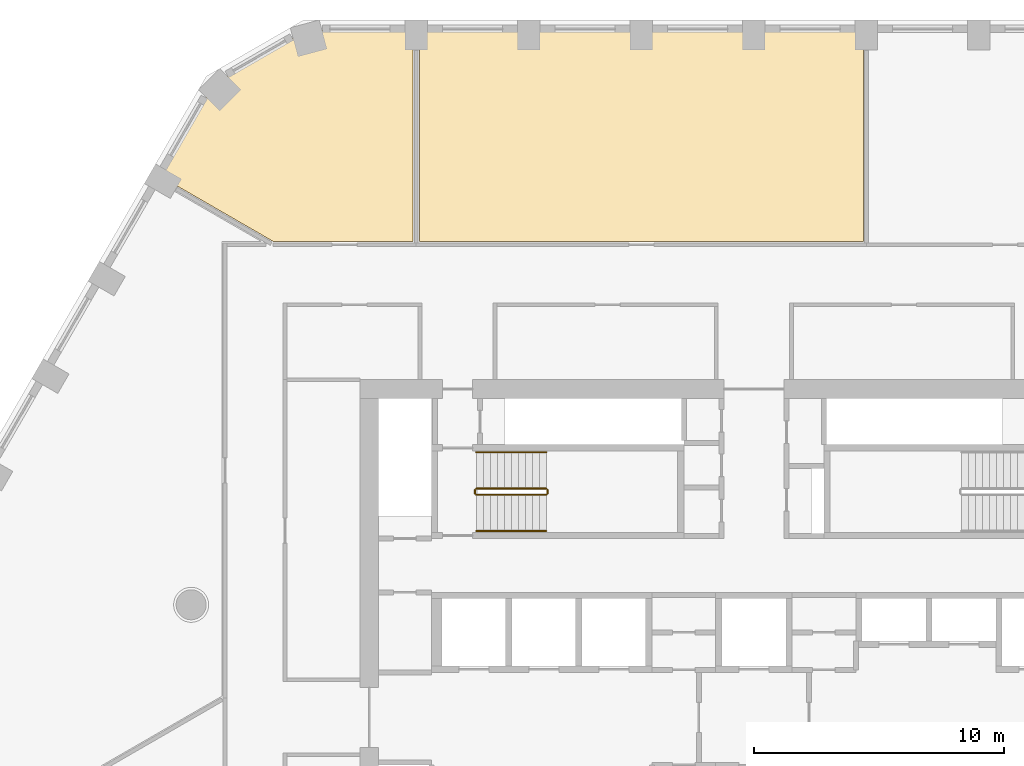
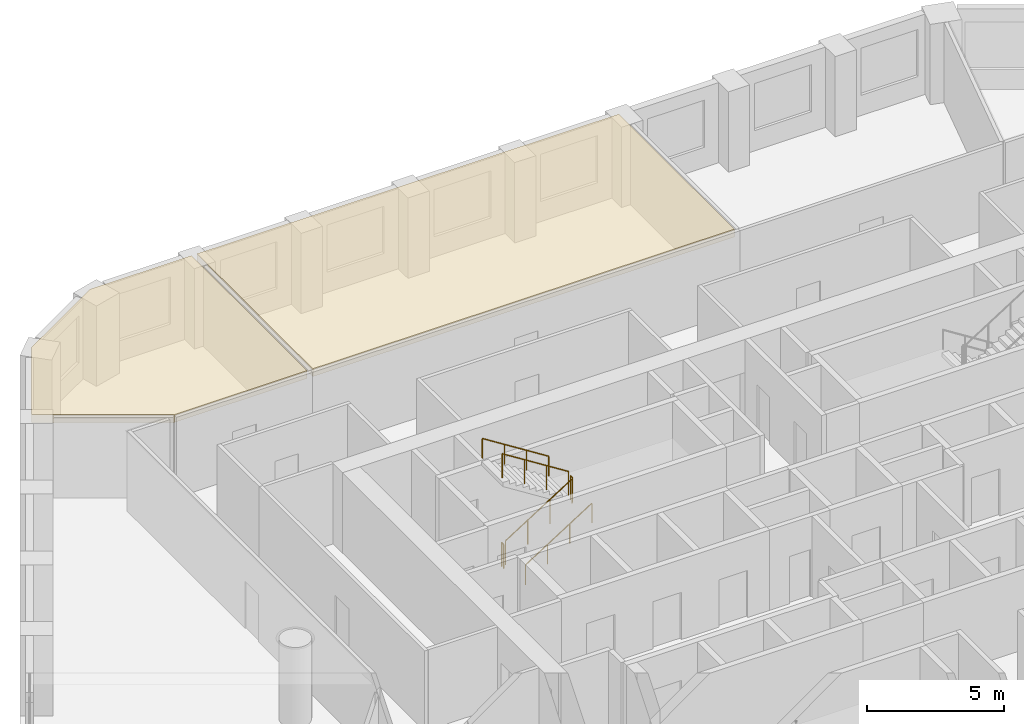
# One storey, part 13 of 14: 6 railings, 2 coverings.
"""IFC4 building model written with IfcOpenShell, lengths in metres."""

from ifc_helpers import new_model, si_unit, direction, frame, origin, origin_2d, place, context, subcontext, project, spatial, polyline, circle, outline, extrude, material, layer, layer_set, type_object, element, save


model = new_model("IFC4")

# Units and contexts
model_context = context("Model", 3, precision=1e-05, world=origin(), true_north=direction((0.0, 1.0)))
body_context = subcontext(model_context, "Body", "Model", "MODEL_VIEW")
ifc_project = project(units=[si_unit("LENGTHUNIT", "METRE"), si_unit("AREAUNIT", "SQUARE_METRE"), si_unit("VOLUMEUNIT", "CUBIC_METRE"), si_unit("PLANEANGLEUNIT", "RADIAN"), si_unit("MASSUNIT", "GRAM", prefix="KILO")], contexts=[model_context])

# Site, building, storey
site_placement = place(None, origin())
site = spatial("IfcSite", under=ifc_project, at=site_placement, CompositionType="ELEMENT")
building_placement = place(site_placement, origin())
building = spatial("IfcBuilding", under=site, at=building_placement, Name="Dhurran Vertical Campus", CompositionType="ELEMENT")
storey_placement = place(building_placement, frame((0.0, 0.0, 136.5)))
storey = spatial("IfcBuildingStorey", under=building, at=storey_placement, Name="L33", CompositionType="ELEMENT", Elevation=136.5)

# Railings
ifc_material_1 = material(Name="Stainless steel balustrade", Category="steel")
railing_type_1 = type_object("IfcRailingType", Name="co-RL-GUARD-1100", PredefinedType="GUARDRAIL", material=ifc_material_1)
railing_1_placement = place(storey_placement, frame((-11.10009765625, 8.89990234375, 0.17724609375)))
element("IfcRailing", 1, at=railing_1_placement, inside=storey, type_object=railing_type_1, Name="L33 ST1 stair guard 1", PredefinedType="GUARDRAIL", context=body_context, shape_type="SweptSolid", body=[
    extrude(circle(Radius=0.02392578125, at=origin_2d()), frame((0.0, 0.0, 1.076171875), z_axis=(0.844908973607, 0.0, 0.534910110503), x_axis=(0.0, 1.0, 0.0)), (0.0, 0.0, 1.0), 3.31396484375),
    extrude(circle(Radius=0.02099609375, at=origin_2d()), origin(), (0.0, 0.0, 1.0), 1.052001953125),
    extrude(circle(Radius=0.02099609375, at=origin_2d()), frame((0.933349609375, 0.0, 0.5908203125)), (0.0, 0.0, 1.0), 1.052001953125),
    extrude(circle(Radius=0.02099609375, at=origin_2d()), frame((1.86669921875, 0.0, 1.181884765625)), (0.0, 0.0, 1.0), 1.052001953125),
    extrude(circle(Radius=0.02099609375, at=origin_2d()), frame((2.800048828125, 0.0, 1.772705078125)), (0.0, 0.0, 1.0), 1.052001953125),
])
railing_2_placement = place(storey_placement, frame((-8.25, 8.949951171875, 1.949951171875)))
element("IfcRailing", 2, at=railing_2_placement, inside=storey, type_object=railing_type_1, Name="L33 ST1 stair guard 2", PredefinedType="GUARDRAIL", context=body_context, shape_type="SweptSolid", body=[
    extrude(circle(Radius=0.02392578125, at=origin_2d()), frame((0.0, 0.0, 1.076171875), z_axis=(0.0, 1.0, 0.0), x_axis=(-1.0, 0.0, 0.0)), (0.0, 0.0, 1.0), 0.150146484375),
    extrude(circle(Radius=0.02099609375, at=origin_2d()), origin(), (0.0, 0.0, 1.0), 1.052001953125),
    extrude(circle(Radius=0.02099609375, at=origin_2d()), frame((0.0, 0.150146484375, 0.0)), (0.0, 0.0, 1.0), 1.052001953125),
])
railing_3_placement = place(storey_placement, frame((-8.300048828125, 9.14990234375, 2.127197265625)))
element("IfcRailing", 3, at=railing_3_placement, inside=storey, type_object=railing_type_1, Name="L33 ST1 stair guard 3", PredefinedType="GUARDRAIL", context=body_context, shape_type="SweptSolid", body=[
    extrude(circle(Radius=0.02392578125, at=origin_2d()), frame((0.0, 0.0, 1.076171875), z_axis=(-0.844908973607, 0.0, 0.534910110503), x_axis=(0.0, -1.0, 0.0)), (0.0, 0.0, 1.0), 3.31396484375),
    extrude(circle(Radius=0.02099609375, at=origin_2d()), origin(), (0.0, 0.0, 1.0), 1.052001953125),
    extrude(circle(Radius=0.02099609375, at=origin_2d()), frame((-0.933349609375, 0.0, 0.5908203125)), (0.0, 0.0, 1.0), 1.052001953125),
    extrude(circle(Radius=0.02099609375, at=origin_2d()), frame((-1.86669921875, 0.0, 1.181884765625)), (0.0, 0.0, 1.0), 1.052001953125),
    extrude(circle(Radius=0.02099609375, at=origin_2d()), frame((-2.800048828125, 0.0, 1.772705078125)), (0.0, 0.0, 1.0), 1.052001953125),
])
railing_4_placement = place(storey_placement, frame((-11.14990234375, 8.949951171875, 0.0)))
element("IfcRailing", 4, at=railing_4_placement, inside=storey, type_object=railing_type_1, Name="L33 ST1 stair guard 4", PredefinedType="GUARDRAIL", context=body_context, shape_type="SweptSolid", body=[
    extrude(circle(Radius=0.02392578125, at=origin_2d()), frame((0.0, 0.0, 1.076171875), z_axis=(0.0, 1.0, 0.0), x_axis=(-1.0, 0.0, 0.0)), (0.0, 0.0, 1.0), 0.150146484375),
    extrude(circle(Radius=0.02099609375, at=origin_2d()), origin(), (0.0, 0.0, 1.0), 1.052001953125),
    extrude(circle(Radius=0.02099609375, at=origin_2d()), frame((0.0, 0.150146484375, 0.0)), (0.0, 0.0, 1.0), 1.052001953125),
])
ifc_material_2 = material(Name="Stainless steel handrail", Category="steel")
railing_type_2 = type_object("IfcRailingType", Name="co-RL-HANDRAIL-900", PredefinedType="HANDRAIL", material=ifc_material_2)
railing_5_placement = place(storey_placement, frame((-11.10009765625, 7.449951171875, 0.17724609375)))
element("IfcRailing", 5, at=railing_5_placement, inside=storey, type_object=railing_type_2, Name="L33 ST1 stair handrail 1", PredefinedType="HANDRAIL", context=body_context, shape_type="SweptSolid", body=[
    extrude(circle(Radius=0.02392578125, at=origin_2d()), frame((0.0, 0.0, 0.8759765625), z_axis=(0.844908973607, 0.0, 0.534910110503), x_axis=(0.0, 1.0, 0.0)), (0.0, 0.0, 1.0), 3.31396484375),
    extrude(circle(Radius=0.02099609375, at=origin_2d()), origin(), (0.0, 0.0, 1.0), 0.851806640625),
    extrude(circle(Radius=0.02099609375, at=origin_2d()), frame((0.933349609375, 0.0, 0.5908203125)), (0.0, 0.0, 1.0), 0.851806640625),
    extrude(circle(Radius=0.02099609375, at=origin_2d()), frame((1.86669921875, 0.0, 1.181884765625)), (0.0, 0.0, 1.0), 0.851806640625),
    extrude(circle(Radius=0.02099609375, at=origin_2d()), frame((2.800048828125, 0.0, 1.772705078125)), (0.0, 0.0, 1.0), 0.851806640625),
])
railing_6_placement = place(storey_placement, frame((-8.300048828125, 10.60009765625, 2.127197265625)))
element("IfcRailing", 6, at=railing_6_placement, inside=storey, type_object=railing_type_2, Name="L33 ST1 stair handrail 2", PredefinedType="HANDRAIL", context=body_context, shape_type="SweptSolid", body=[
    extrude(circle(Radius=0.02392578125, at=origin_2d()), frame((0.0, 0.0, 0.8759765625), z_axis=(-0.844908973607, 0.0, 0.534910110503), x_axis=(0.0, -1.0, 0.0)), (0.0, 0.0, 1.0), 3.31396484375),
    extrude(circle(Radius=0.02099609375, at=origin_2d()), origin(), (0.0, 0.0, 1.0), 0.851806640625),
    extrude(circle(Radius=0.02099609375, at=origin_2d()), frame((-0.933349609375, 0.0, 0.5908203125)), (0.0, 0.0, 1.0), 0.851806640625),
    extrude(circle(Radius=0.02099609375, at=origin_2d()), frame((-1.86669921875, 0.0, 1.181884765625)), (0.0, 0.0, 1.0), 0.851806640625),
    extrude(circle(Radius=0.02099609375, at=origin_2d()), frame((-2.800048828125, 0.0, 1.772705078125)), (0.0, 0.0, 1.0), 0.851806640625),
])

# Coverings
ifc_material_3 = material(Name="Mineral fibre ceiling tiles on suspended grid")
ifc_layer = layer(ifc_material_3, 0.35009765625)
ifc_layer_set = layer_set([ifc_layer], Name="Mineral fibre ceiling tiles on suspended grid")
covering_type = type_object("IfcCoveringType", Name="fl-CE-350 suspended ceiling", PredefinedType="CEILING", material=ifc_layer_set)
covering_1_placement = place(storey_placement, frame((0.0, 0.0, 3.22509765625)))
element("IfcCovering", 7, at=covering_1_placement, inside=storey, type_object=covering_type, Name="Ceiling 33-12", PredefinedType="CEILING", context=body_context, shape_type="SweptSolid", body=[
    extrude(outline(polyline([(-13.6201171875, 19.02001953125), (-19.2041015625, 19.02001953125), (-23.722900390625, 21.6298828125), (-21.589111328125, 25.324951171875), (-17.887939453125, 27.462890625), (-13.6201171875, 27.462890625), (-13.6201171875, 19.02001953125)])), origin(), (0.0, 0.0, 1.0), 0.349853515625),
])
covering_2_placement = place(storey_placement, frame((0.0, 0.0, 3.22509765625)))
element("IfcCovering", 8, at=covering_2_placement, inside=storey, type_object=covering_type, Name="Ceiling 33-20", PredefinedType="CEILING", context=body_context, shape_type="SweptSolid", body=[
    extrude(outline(polyline([(-13.3798828125, 27.462890625), (4.3798828125, 27.462890625), (4.3798828125, 19.02001953125), (-13.3798828125, 19.02001953125), (-13.3798828125, 27.462890625)])), origin(), (0.0, 0.0, 1.0), 0.349853515625),
])

save(model, "model.ifc")
